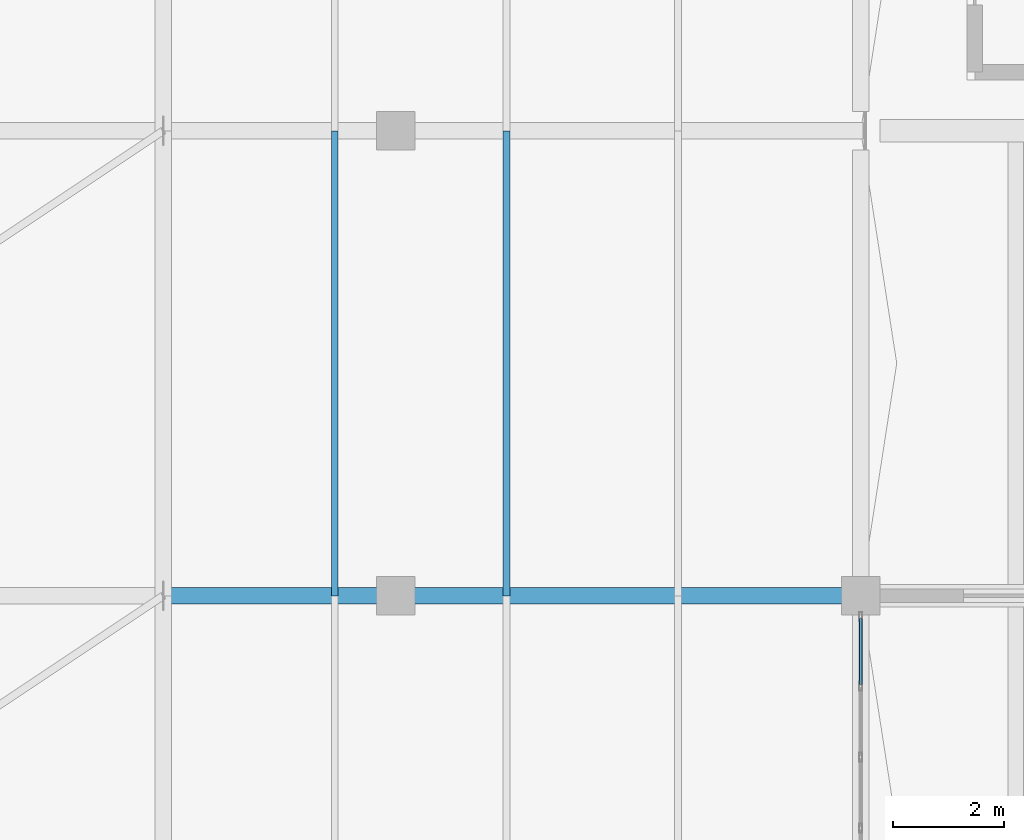
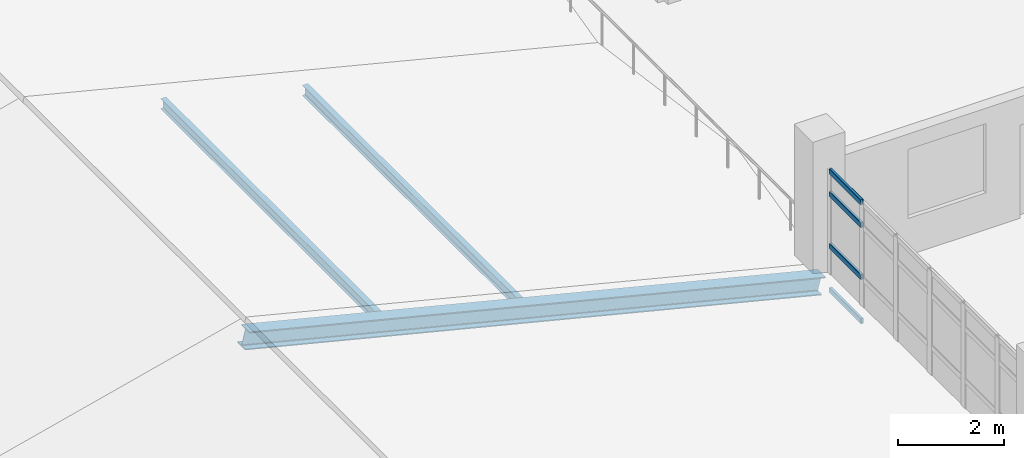
# One storey, part 57 of 95: 7 members, 1 element without a shape of its own.
"""IFC4 building model written with IfcOpenShell, lengths in metres."""

from ifc_helpers import new_model, si_unit, direction, frame, origin, origin_2d, place, context, subcontext, project, spatial, hollow_rectangle, i_section, extrude, material, layer, layer_set, material_profile, profile_set, type_object, element, aggregate, save


model = new_model("IFC4")

# Units and contexts
model_context = context("Model", 3, precision=1e-05, world=origin(), true_north=direction((0.0, 1.0)))
body_context = subcontext(model_context, "Body", "Model", "MODEL_VIEW")
ifc_project = project(units=[si_unit("LENGTHUNIT", "METRE"), si_unit("AREAUNIT", "SQUARE_METRE"), si_unit("VOLUMEUNIT", "CUBIC_METRE"), si_unit("PLANEANGLEUNIT", "RADIAN"), si_unit("MASSUNIT", "GRAM", prefix="KILO"), si_unit("THERMODYNAMICTEMPERATUREUNIT", "KELVIN"), si_unit("POWERUNIT", "WATT")], contexts=[model_context])

# Site, building, storey
site_placement = place(None, origin())
site = spatial("IfcSite", under=ifc_project, at=site_placement, CompositionType="ELEMENT")
building_placement = place(site_placement, origin())
building = spatial("IfcBuilding", under=site, at=building_placement, Name="Mavoryth Pier Ferry Terminal", CompositionType="ELEMENT")
storey_placement = place(building_placement, frame((0.0, 0.0, 9.60009765625)))
storey = spatial("IfcBuildingStorey", under=building, at=storey_placement, Name="L02", CompositionType="ELEMENT", Elevation=9.60009765625)

# Members
ifc_material_1 = material(Name="Steel S355J2", Category="steel")
ifc_material_profile_1 = material_profile(ifc_material_1, i_section(OverallWidth=0.1201171875, OverallDepth=0.239990234375, WebThickness=0.006103515625, FlangeThickness=0.009765625, FilletRadius=0.014892578125, at=origin_2d()), Name="IPE 240", Category="steel")
ifc_profile_set_1 = profile_set([ifc_material_profile_1], Name="Steel S355J2 - IPE 240")
member_type_1 = type_object("IfcMemberType", Name="Purlin-Roof-IPE240", PredefinedType="PURLIN", material=ifc_profile_set_1)
for number, where, z_axis, x_axis, name in (
    (1, (66.10009765625, 89.199951171875, 2.333740234375), (0.0, 1.0, 0.0), (-1.0, 0.0, 0.0), "Steel Member MB-L02-0225"),
    (2, (69.199951171875, 89.199951171875, 1.557373046875), (0.0, 1.0, 0.0), (-1.0, 0.0, 0.0), "Steel Member MB-L02-0226"),
):
    element("IfcMember", number, at=place(storey_placement, frame(where, z_axis=z_axis, x_axis=x_axis)), inside=storey, type_object=member_type_1, Name=name, PredefinedType="PURLIN", context=body_context, shape_type="SweptSolid", body=[
        extrude(i_section(OverallWidth=0.1201171875, OverallDepth=0.239990234375, WebThickness=0.006103515625, FlangeThickness=0.009765625, FilletRadius=0.014892578125, at=origin_2d()), origin(), (0.0, 0.0, 1.0), 8.400146484375),
    ])
ifc_material_profile_2 = material_profile(ifc_material_1, i_section(OverallWidth=0.300048828125, OverallDepth=0.39990234375, WebThickness=0.013427734375, FlangeThickness=0.02392578125, FilletRadius=0.027099609375, at=origin_2d()), Name="HEB 400", Category="steel")
ifc_profile_set_2 = profile_set([ifc_material_profile_2], Name="Steel S355J2 - HEB 400")
member_type_2 = type_object("IfcMemberType", Name="Rafter-Pitched-HEB400", PredefinedType="RAFTER", material=ifc_profile_set_2)
member_1_placement = place(storey_placement, frame((63.0, 89.199951171875, 3.095703125), z_axis=(0.970299337146, 0.0, -0.241907412731), x_axis=(0.0, 1.0, 0.0)))
element("IfcMember", 3, at=member_1_placement, inside=storey, type_object=member_type_2, Name="Steel Member MB-L02-0197", PredefinedType="RAFTER", context=body_context, shape_type="SweptSolid", body=[
    extrude(i_section(OverallWidth=0.300048828125, OverallDepth=0.39990234375, WebThickness=0.013427734375, FlangeThickness=0.02392578125, FilletRadius=0.027099609375, at=origin_2d()), origin(), (0.0, 0.0, 1.0), 12.98583984375),
])

# Curtain wall, members
ifc_material_2 = material(Name="Anodised Aluminium and Solar-Control Low-E Glass", Category="aluminium")
ifc_layer = layer(ifc_material_2, 0.159912109375, Name="Anodised Aluminium and Solar-Control Low-E Glass", Category="aluminium")
ifc_layer_set = layer_set([ifc_layer], Name="Anodised Aluminium and Solar-Control Low-E Glass - CW-Arrivals-Mod1400")
curtain_wall_type = type_object("IfcCurtainWallType", Name="CW-Arrivals-Mod1400", PredefinedType="USERDEFINED", material=ifc_layer_set)
curtain_wall_placement = place(storey_placement, origin())
curtain_wall = element("IfcCurtainWall", 4, at=curtain_wall_placement, inside=storey, type_object=curtain_wall_type, Name="Curtain Wall CW-0222-074", ObjectType="UNITISED CURTAIN WALL", PredefinedType="USERDEFINED")
ifc_material_3 = material(Name="Anodised Aluminium EN AW-6063", Category="aluminium")
ifc_material_profile_3 = material_profile(ifc_material_3, hollow_rectangle(XDim=0.06005859375, YDim=0.125, WallThickness=0.00390625, InnerFilletRadius=0.00390625, OuterFilletRadius=0.008056640625, at=origin_2d()), Name="AL-TRAN 125x60x4", Category="aluminium")
ifc_profile_set_3 = profile_set([ifc_material_profile_3], Name="Anodised Aluminium EN AW-6063 - AL-TRAN 125x60x4")
member_type_3 = type_object("IfcMemberType", Name="Transom-Alum-125x60", PredefinedType="USERDEFINED", material=ifc_profile_set_3)
member_2_placement = place(storey_placement, frame((75.60009765625, 88.7900390625, 0.02978515625), z_axis=(0.0, -1.0, 0.0), x_axis=(1.0, 0.0, 0.0)))
member_2 = element("IfcMember", 5, at=member_2_placement, type_object=member_type_3, Name="CW04 transom 1.1", ObjectType="TRANSOM", PredefinedType="USERDEFINED", context=body_context, shape_type="SweptSolid", body=[
    extrude(hollow_rectangle(XDim=0.06005859375, YDim=0.125, WallThickness=0.00390625, InnerFilletRadius=0.00390625, OuterFilletRadius=0.008056640625, at=origin_2d()), origin(), (0.0, 0.0, 1.0), 1.193359375),
])
member_3_placement = place(storey_placement, frame((75.60009765625, 88.7900390625, 1.0498046875), z_axis=(0.0, -1.0, 0.0), x_axis=(1.0, 0.0, 0.0)))
member_3 = element("IfcMember", 6, at=member_3_placement, type_object=member_type_3, Name="CW04 transom 1.2", ObjectType="TRANSOM", PredefinedType="USERDEFINED", context=body_context, shape_type="SweptSolid", body=[
    extrude(hollow_rectangle(XDim=0.06005859375, YDim=0.125, WallThickness=0.00390625, InnerFilletRadius=0.00390625, OuterFilletRadius=0.008056640625, at=origin_2d()), origin(), (0.0, 0.0, 1.0), 1.193359375),
])
member_4_placement = place(storey_placement, frame((75.60009765625, 88.7900390625, 2.25), z_axis=(0.0, -1.0, 0.0), x_axis=(1.0, 0.0, 0.0)))
member_4 = element("IfcMember", 7, at=member_4_placement, type_object=member_type_3, Name="CW04 transom 1.3", ObjectType="TRANSOM", PredefinedType="USERDEFINED", context=body_context, shape_type="SweptSolid", body=[
    extrude(hollow_rectangle(XDim=0.06005859375, YDim=0.125, WallThickness=0.00390625, InnerFilletRadius=0.00390625, OuterFilletRadius=0.008056640625, at=origin_2d()), origin(), (0.0, 0.0, 1.0), 1.193359375),
])
member_5_placement = place(storey_placement, frame((75.60009765625, 88.7900390625, 2.77490234375), z_axis=(0.0, -1.0, 0.0), x_axis=(1.0, 0.0, 0.0)))
member_5 = element("IfcMember", 8, at=member_5_placement, type_object=member_type_3, Name="CW04 transom 1.4", ObjectType="TRANSOM", PredefinedType="USERDEFINED", context=body_context, shape_type="SweptSolid", body=[
    extrude(hollow_rectangle(XDim=0.06005859375, YDim=0.125, WallThickness=0.00390625, InnerFilletRadius=0.00390625, OuterFilletRadius=0.008056640625, at=origin_2d()), origin(), (0.0, 0.0, 1.0), 1.193359375),
])
aggregate(curtain_wall, [member_2, member_3, member_4, member_5])

save(model, "model.ifc")
